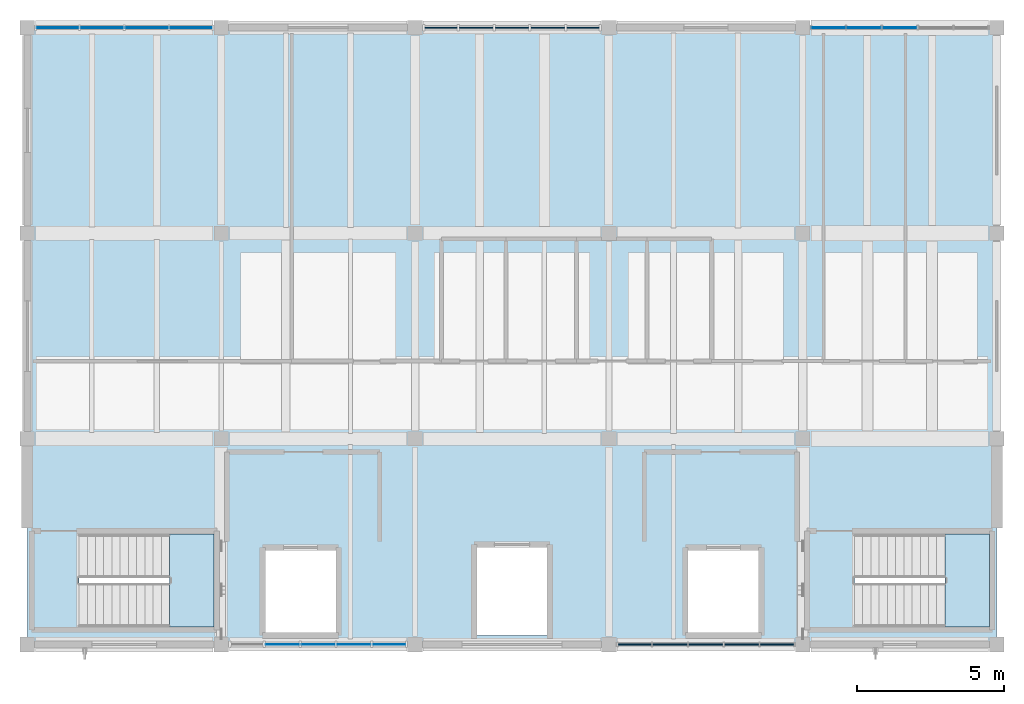
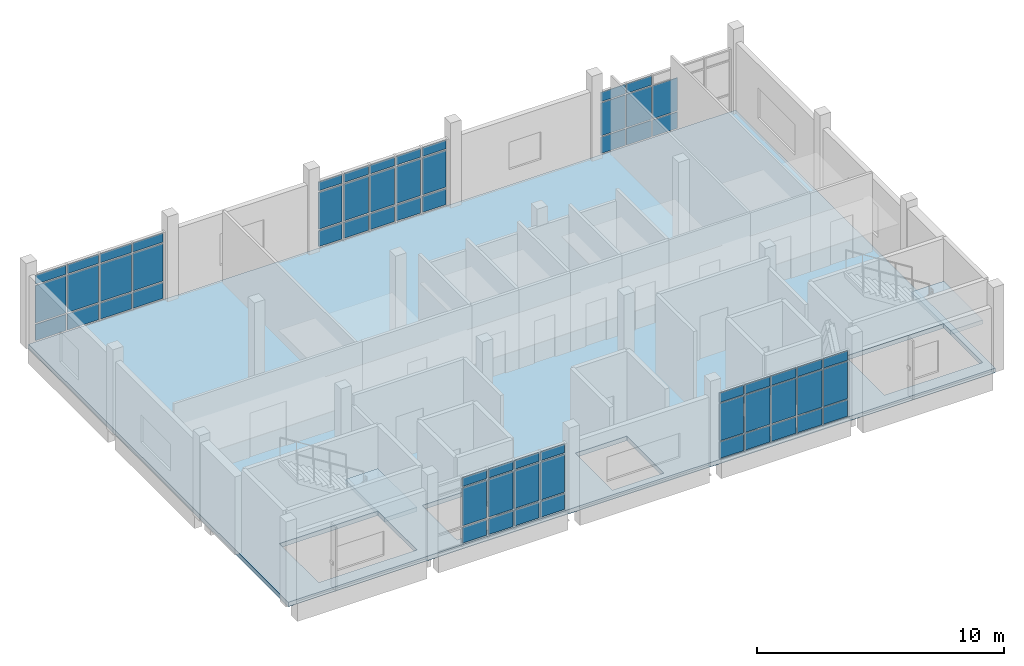
# One storey, part 5 of 10: 62 plates, 3 slabs, 7 elements without a shape of their own.
"""IFC4 building model written with IfcOpenShell, lengths in metres."""

import ifcopenshell
import ifcopenshell.guid

model = None  # the IFC model being written
_history = None  # IfcOwnerHistory: only IFC2X3 demands one
_inside = {}  # id of a spatial element -> (the spatial element, [elements in it])
_under = {}  # id of a project, library or spatial element -> (it, [spatial elements below it])
_declared = {}  # id of a project -> (the project, [libraries it declares])
_typed = {}  # id of a type object -> (the type object, [elements of that type])
_made_of = {}  # id of a material, layer set ... -> (it, [elements and type objects made of it])


def new_model(schema):
    """Start an empty IFC model of exactly this schema.

    Asked for "IFC4X3", IfcOpenShell would pick the latest addendum, in which some entities
    have other attributes; the version numbers below select the first issue.
    IFC2X3 requires an IfcOwnerHistory on every rooted entity: one is made here for all.
    """
    global model, _history
    if schema == "IFC4X3":
        model = ifcopenshell.file(schema_version=(4, 3, 0, 0))
    else:
        model = ifcopenshell.file(schema=schema)
    _inside.clear()
    _under.clear()
    _declared.clear()
    _typed.clear()
    _made_of.clear()
    _history = None
    if model.schema == "IFC2X3":
        org = make("IfcOrganization", Name="unknown")
        user = make(
            "IfcPersonAndOrganization",
            ThePerson=make("IfcPerson", FamilyName="unknown"),
            TheOrganization=org,
        )
        app = make(
            "IfcApplication",
            ApplicationDeveloper=org,
            Version="unknown",
            ApplicationFullName="unknown",
            ApplicationIdentifier="unknown",
        )
        _history = make(
            "IfcOwnerHistory",
            OwningUser=user,
            OwningApplication=app,
            ChangeAction="ADDED",
            CreationDate=0,
        )
    return model


def make(cls, **values):
    """One entity of the class cls with the attributes given. An attribute that is None is left unset."""
    return model.create_entity(
        cls, **{name: value for name, value in values.items() if value is not None}
    )


def rooted(cls, **values):
    """An entity with a GlobalId (a new one), such as an element, a storey or a relation."""
    return make(cls, GlobalId=ifcopenshell.guid.new(), OwnerHistory=_history, **values)


def si_unit(unit_type, name, prefix=None):
    """IfcSIUnit, for example si_unit("LENGTHUNIT", "METRE", prefix="MILLI")."""
    return make("IfcSIUnit", UnitType=unit_type, Prefix=prefix, Name=name)


def assignment(units):
    """IfcUnitAssignment: the units of a project."""
    return None if units is None else make("IfcUnitAssignment", Units=units)


def point(xyz):
    """IfcCartesianPoint."""
    return None if xyz is None else make("IfcCartesianPoint", Coordinates=xyz)


def direction(xyz):
    """IfcDirection."""
    return None if xyz is None else make("IfcDirection", DirectionRatios=xyz)


def frame(location, z_axis=None, x_axis=None):
    """IfcAxis2Placement3D, a coordinate frame: its origin and axes. An axis left out is left unset."""
    return make(
        "IfcAxis2Placement3D",
        Location=point(location),
        Axis=direction(z_axis),
        RefDirection=direction(x_axis),
    )


def frame_2d(location, x_axis=None):
    """IfcAxis2Placement2D, a coordinate frame in the plane: its origin and x axis."""
    return make(
        "IfcAxis2Placement2D", Location=point(location), RefDirection=direction(x_axis)
    )


def origin():
    """The frame at (0, 0, 0) with its axes left unset."""
    return frame((0.0, 0.0, 0.0))


def origin_2d():
    """The frame at (0, 0) in the plane with its x axis left unset."""
    return frame_2d((0.0, 0.0))


def place(relative_to, where):
    """IfcLocalPlacement: puts the frame where relative to a parent placement (None: the world)."""
    return make(
        "IfcLocalPlacement", PlacementRelTo=relative_to, RelativePlacement=where
    )


def context(
    kind, dimensions, precision=None, world=None, true_north=None, identifier=None
):
    """IfcGeometricRepresentationContext, for example the 3D "Model" context."""
    return make(
        "IfcGeometricRepresentationContext",
        ContextIdentifier=identifier,
        ContextType=kind,
        CoordinateSpaceDimension=dimensions,
        Precision=precision,
        WorldCoordinateSystem=world,
        TrueNorth=true_north,
    )


def subcontext(parent, identifier, kind, view, scale=None):
    """IfcGeometricRepresentationSubContext, for example "Body" below "Model"."""
    return make(
        "IfcGeometricRepresentationSubContext",
        ContextIdentifier=identifier,
        ContextType=kind,
        ParentContext=parent,
        TargetScale=scale,
        TargetView=view,
    )


def project(units=None, contexts=None):
    """IfcProject with its units and contexts."""
    return rooted(
        "IfcProject",
        Name="project",
        RepresentationContexts=contexts,
        UnitsInContext=assignment(units),
    )


def spatial(cls, under=None, at=None, **own):
    """A site, building, storey or space (cls), placed at a placement, below another one or the project."""
    s = rooted(cls, ObjectPlacement=at, **own)
    if under is not None:
        _under.setdefault(under.id(), (under, []))[1].append(s)
    return s


def polyline(points):
    """IfcPolyline through the points."""
    return make("IfcPolyline", Points=[point(p) for p in points])


def profile(cls, at=None, kind="AREA", **sizes):
    """A parametric profile (cls). Its sizes go by their IFC names, for example OverallWidth=200.0."""
    return make(cls, ProfileType=kind, Position=at, **sizes)


def rectangle(**sizes):
    """IfcRectangleProfileDef."""
    return profile("IfcRectangleProfileDef", **sizes)


def outline(outer, holes=None, kind="AREA"):
    """IfcArbitraryClosedProfileDef: a profile drawn as a closed curve; with holes, ...WithVoids."""
    if holes is None:
        return make("IfcArbitraryClosedProfileDef", ProfileType=kind, OuterCurve=outer)
    return make(
        "IfcArbitraryProfileDefWithVoids",
        ProfileType=kind,
        OuterCurve=outer,
        InnerCurves=holes,
    )


def extrude(swept, where, along, depth):
    """IfcExtrudedAreaSolid: the profile swept, set in the frame where, extruded along a direction by depth."""
    return make(
        "IfcExtrudedAreaSolid",
        SweptArea=swept,
        Position=where,
        ExtrudedDirection=direction(along),
        Depth=depth,
    )


def shape(context_of_items, identifier, shape_type, items):
    """IfcShapeRepresentation: the items that make up one representation, for example the "Body"."""
    return make(
        "IfcShapeRepresentation",
        ContextOfItems=context_of_items,
        RepresentationIdentifier=identifier,
        RepresentationType=shape_type,
        Items=items,
    )


def material(Name=None, Category=None):
    """IfcMaterial."""
    return make("IfcMaterial", Name=Name, Category=Category)


def layer(
    of_material, thickness, ventilated=None, Name=None, Category=None, Priority=None
):
    """IfcMaterialLayer: one layer of a wall or slab, of a material (None: an air gap)."""
    return make(
        "IfcMaterialLayer",
        Material=of_material,
        LayerThickness=thickness,
        IsVentilated=ventilated,
        Name=Name,
        Category=Category,
        Priority=Priority,
    )


def layer_set(layers, Name=None):
    """IfcMaterialLayerSet."""
    return make("IfcMaterialLayerSet", MaterialLayers=layers, LayerSetName=Name)


def made_of(thing, what):
    """Note that an element or type object is made of a material, layer set ...; save() writes the relation."""
    if what is not None:
        _made_of.setdefault(what.id(), (what, []))[1].append(thing)
    return thing


def type_object(cls, material=None, **own):
    """A type object (cls), such as IfcWallType, which elements share."""
    return made_of(rooted(cls, **own), material)


def element(
    cls,
    number,
    at=None,
    inside=None,
    cuts=None,
    type_object=None,
    material=None,
    context=None,
    identifier="Body",
    shape_type=None,
    held_by="IfcProductDefinitionShape",
    body=None,
    shapes=None,
    **own,
):
    """One element of the class cls, such as IfcWall. Its Tag is "e" and its number.

    at: its placement. inside: the storey or other place that contains it. cuts: it is an
    opening in that element (IfcRelVoidsElement). A single representation is given by context,
    identifier, shape_type and body (its items); several are given by shapes. held_by: the class
    of the entity that holds the representations. save() writes the other relations.
    """
    e = rooted(cls, Tag="e%d" % number, ObjectPlacement=at, **own)
    if body is not None:
        shapes = [shape(context, identifier, shape_type, body)]
    if shapes is not None:
        e.Representation = make(held_by, Representations=shapes)
    if inside is not None:
        _inside.setdefault(inside.id(), (inside, []))[1].append(e)
    if cuts is not None:
        rooted(
            "IfcRelVoidsElement", RelatingBuildingElement=cuts, RelatedOpeningElement=e
        )
    if type_object is not None:
        _typed.setdefault(type_object.id(), (type_object, []))[1].append(e)
    return made_of(e, material)


def aggregate(whole, parts):
    """IfcRelAggregates: a whole, such as a stair, and the parts it consists of."""
    return rooted("IfcRelAggregates", RelatingObject=whole, RelatedObjects=parts)


def save(model, path):
    """Write the relations noted so far, then the file.

    IfcRelAggregates (storeys below a building ...), IfcRelContainedInSpatialStructure (elements
    in a storey), IfcRelDefinesByType, IfcRelAssociatesMaterial and IfcRelDeclares: one each for
    every whole, place, type object, material and project.
    """
    for whole, parts in _under.values():
        aggregate(whole, parts)
    for where, things in _inside.values():
        rooted(
            "IfcRelContainedInSpatialStructure",
            RelatedElements=things,
            RelatingStructure=where,
        )
    for kind, things in _typed.values():
        rooted("IfcRelDefinesByType", RelatedObjects=things, RelatingType=kind)
    for what, things in _made_of.values():
        rooted("IfcRelAssociatesMaterial", RelatedObjects=things, RelatingMaterial=what)
    for by, libraries in _declared.values():
        rooted("IfcRelDeclares", RelatingContext=by, RelatedDefinitions=libraries)
    model.write(path)


model = new_model("IFC4")

# Units and contexts
model_context = context("Model", 3, precision=1e-05, world=origin(), true_north=direction((0.0, 1.0)))
body_context = subcontext(model_context, "Body", "Model", "MODEL_VIEW")
ifc_project = project(units=[si_unit("LENGTHUNIT", "METRE"), si_unit("AREAUNIT", "SQUARE_METRE"), si_unit("VOLUMEUNIT", "CUBIC_METRE"), si_unit("PLANEANGLEUNIT", "RADIAN"), si_unit("MASSUNIT", "GRAM", prefix="KILO")], contexts=[model_context])

# Site, building, storey
site_placement = place(None, origin())
site = spatial("IfcSite", under=ifc_project, at=site_placement, CompositionType="ELEMENT")
building_placement = place(site_placement, origin())
building = spatial("IfcBuilding", under=site, at=building_placement, Name="Ciguamira Faculty of Natural Sciences", CompositionType="ELEMENT")
storey_placement = place(building_placement, frame((0.0, 0.0, 42.0)))
storey = spatial("IfcBuildingStorey", under=building, at=storey_placement, Name="L10", CompositionType="ELEMENT", Elevation=42.0)

# Curtain wall, plates
ifc_material_1 = material(Name="Anodized aluminium curtain wall", Category="aluminium")
curtain_wall_type_1 = type_object("IfcCurtainWallType", Name="CurtainWall_CW-09", PredefinedType="USERDEFINED", material=ifc_material_1)
curtain_wall_1_placement = place(storey_placement, origin())
curtain_wall_1 = element("IfcCurtainWall", 1, at=curtain_wall_1_placement, inside=storey, type_object=curtain_wall_type_1, Name="L10 unitised curtain wall 0165", ObjectType="UNITISED CURTAIN WALL", PredefinedType="USERDEFINED")
ifc_material_2 = material(Name="Low-E laminated solar glass", Category="glass")
ifc_layer_1 = layer(ifc_material_2, 0.028076171875, Name="Low-E laminated solar glass")
ifc_layer_set_1 = layer_set([ifc_layer_1], Name="Low-E laminated solar glass")
plate_type_1 = type_object("IfcPlateType", Name="CWPanel_CWP-01", PredefinedType="CURTAIN_PANEL", material=ifc_layer_set_1)
plate_1_placement = place(storey_placement, frame((79.179931640625, 94.0, 0.080078125), z_axis=(0.0, 0.0, 1.0), x_axis=(1.0, 0.0, 0.0)))
plate_1 = element("IfcPlate", 2, at=plate_1_placement, type_object=plate_type_1, Name="CW-09 panel 2.1", PredefinedType="CURTAIN_PANEL", context=body_context, shape_type="SweptSolid", body=[
    extrude(rectangle(XDim=1.139892578125, YDim=0.028076171875, at=origin_2d()), origin(), (0.0, 0.0, 1.0), 0.780029296875),
])
plate_2_placement = place(storey_placement, frame((79.179931640625, 94.0, 0.93994140625), z_axis=(0.0, 0.0, 1.0), x_axis=(1.0, 0.0, 0.0)))
plate_2 = element("IfcPlate", 3, at=plate_2_placement, type_object=plate_type_1, Name="CW-09 panel 2.2", PredefinedType="CURTAIN_PANEL", context=body_context, shape_type="SweptSolid", body=[
    extrude(rectangle(XDim=1.139892578125, YDim=0.028076171875, at=origin_2d()), origin(), (0.0, 0.0, 1.0), 1.85498046875),
])
plate_3_placement = place(storey_placement, frame((79.179931640625, 94.0, 2.875), z_axis=(0.0, 0.0, 1.0), x_axis=(1.0, 0.0, 0.0)))
plate_3 = element("IfcPlate", 4, at=plate_3_placement, type_object=plate_type_1, Name="CW-09 panel 2.3", PredefinedType="CURTAIN_PANEL", context=body_context, shape_type="SweptSolid", body=[
    extrude(rectangle(XDim=1.139892578125, YDim=0.028076171875, at=origin_2d()), origin(), (0.0, 0.0, 1.0), 0.429931640625),
])
plate_4_placement = place(storey_placement, frame((80.39990234375, 94.0, 0.080078125), z_axis=(0.0, 0.0, 1.0), x_axis=(1.0, 0.0, 0.0)))
plate_4 = element("IfcPlate", 5, at=plate_4_placement, type_object=plate_type_1, Name="CW-09 panel 3.1", PredefinedType="CURTAIN_PANEL", context=body_context, shape_type="SweptSolid", body=[
    extrude(rectangle(XDim=1.139892578125, YDim=0.028076171875, at=origin_2d()), origin(), (0.0, 0.0, 1.0), 0.780029296875),
])
plate_5_placement = place(storey_placement, frame((80.39990234375, 94.0, 0.93994140625), z_axis=(0.0, 0.0, 1.0), x_axis=(1.0, 0.0, 0.0)))
plate_5 = element("IfcPlate", 6, at=plate_5_placement, type_object=plate_type_1, Name="CW-09 panel 3.2", PredefinedType="CURTAIN_PANEL", context=body_context, shape_type="SweptSolid", body=[
    extrude(rectangle(XDim=1.139892578125, YDim=0.028076171875, at=origin_2d()), origin(), (0.0, 0.0, 1.0), 1.85498046875),
])
plate_6_placement = place(storey_placement, frame((80.39990234375, 94.0, 2.875), z_axis=(0.0, 0.0, 1.0), x_axis=(1.0, 0.0, 0.0)))
plate_6 = element("IfcPlate", 7, at=plate_6_placement, type_object=plate_type_1, Name="CW-09 panel 3.3", PredefinedType="CURTAIN_PANEL", context=body_context, shape_type="SweptSolid", body=[
    extrude(rectangle(XDim=1.139892578125, YDim=0.028076171875, at=origin_2d()), origin(), (0.0, 0.0, 1.0), 0.429931640625),
])
plate_7_placement = place(storey_placement, frame((81.6201171875, 94.0, 0.080078125), z_axis=(0.0, 0.0, 1.0), x_axis=(1.0, 0.0, 0.0)))
plate_7 = element("IfcPlate", 8, at=plate_7_placement, type_object=plate_type_1, Name="CW-09 panel 4.1", PredefinedType="CURTAIN_PANEL", context=body_context, shape_type="SweptSolid", body=[
    extrude(rectangle(XDim=1.139892578125, YDim=0.028076171875, at=origin_2d()), origin(), (0.0, 0.0, 1.0), 0.780029296875),
])
plate_8_placement = place(storey_placement, frame((81.6201171875, 94.0, 0.93994140625), z_axis=(0.0, 0.0, 1.0), x_axis=(1.0, 0.0, 0.0)))
plate_8 = element("IfcPlate", 9, at=plate_8_placement, type_object=plate_type_1, Name="CW-09 panel 4.2", PredefinedType="CURTAIN_PANEL", context=body_context, shape_type="SweptSolid", body=[
    extrude(rectangle(XDim=1.139892578125, YDim=0.028076171875, at=origin_2d()), origin(), (0.0, 0.0, 1.0), 1.85498046875),
])
plate_9_placement = place(storey_placement, frame((81.6201171875, 94.0, 2.875), z_axis=(0.0, 0.0, 1.0), x_axis=(1.0, 0.0, 0.0)))
plate_9 = element("IfcPlate", 10, at=plate_9_placement, type_object=plate_type_1, Name="CW-09 panel 4.3", PredefinedType="CURTAIN_PANEL", context=body_context, shape_type="SweptSolid", body=[
    extrude(rectangle(XDim=1.139892578125, YDim=0.028076171875, at=origin_2d()), origin(), (0.0, 0.0, 1.0), 0.429931640625),
])
plate_10_placement = place(storey_placement, frame((82.820068359375, 94.0, 0.080078125), z_axis=(0.0, 0.0, 1.0), x_axis=(1.0, 0.0, 0.0)))
plate_10 = element("IfcPlate", 11, at=plate_10_placement, type_object=plate_type_1, Name="CW-09 panel 5.1", PredefinedType="CURTAIN_PANEL", context=body_context, shape_type="SweptSolid", body=[
    extrude(rectangle(XDim=1.10009765625, YDim=0.028076171875, at=origin_2d()), origin(), (0.0, 0.0, 1.0), 0.780029296875),
])
plate_11_placement = place(storey_placement, frame((82.820068359375, 94.0, 0.93994140625), z_axis=(0.0, 0.0, 1.0), x_axis=(1.0, 0.0, 0.0)))
plate_11 = element("IfcPlate", 12, at=plate_11_placement, type_object=plate_type_1, Name="CW-09 panel 5.2", PredefinedType="CURTAIN_PANEL", context=body_context, shape_type="SweptSolid", body=[
    extrude(rectangle(XDim=1.10009765625, YDim=0.028076171875, at=origin_2d()), origin(), (0.0, 0.0, 1.0), 1.85498046875),
])
plate_12_placement = place(storey_placement, frame((82.820068359375, 94.0, 2.875), z_axis=(0.0, 0.0, 1.0), x_axis=(1.0, 0.0, 0.0)))
plate_12 = element("IfcPlate", 13, at=plate_12_placement, type_object=plate_type_1, Name="CW-09 panel 5.3", PredefinedType="CURTAIN_PANEL", context=body_context, shape_type="SweptSolid", body=[
    extrude(rectangle(XDim=1.10009765625, YDim=0.028076171875, at=origin_2d()), origin(), (0.0, 0.0, 1.0), 0.429931640625),
])
aggregate(curtain_wall_1, [plate_1, plate_2, plate_3, plate_4, plate_5, plate_6, plate_7, plate_8, plate_9, plate_10, plate_11, plate_12])

curtain_wall_type_2 = type_object("IfcCurtainWallType", Name="CurtainWall_CW-11", PredefinedType="USERDEFINED", material=ifc_material_1)
curtain_wall_2_placement = place(storey_placement, origin())
curtain_wall_2 = element("IfcCurtainWall", 14, at=curtain_wall_2_placement, inside=storey, type_object=curtain_wall_type_2, Name="L10 unitised curtain wall 0167", ObjectType="UNITISED CURTAIN WALL", PredefinedType="USERDEFINED")
plate_13_placement = place(storey_placement, frame((71.530029296875, 115.0, 0.070068359375), z_axis=(0.0, 0.0, 1.0), x_axis=(1.0, 0.0, 0.0)))
plate_13 = element("IfcPlate", 15, at=plate_13_placement, type_object=plate_type_1, Name="CW-11 panel 1.1", PredefinedType="CURTAIN_PANEL", context=body_context, shape_type="SweptSolid", body=[
    extrude(rectangle(XDim=1.419921875, YDim=0.028076171875, at=origin_2d()), origin(), (0.0, 0.0, 1.0), 0.794921875),
])
plate_14_placement = place(storey_placement, frame((71.530029296875, 115.0, 0.93505859375), z_axis=(0.0, 0.0, 1.0), x_axis=(1.0, 0.0, 0.0)))
plate_14 = element("IfcPlate", 16, at=plate_14_placement, type_object=plate_type_1, Name="CW-11 panel 1.2", PredefinedType="CURTAIN_PANEL", context=body_context, shape_type="SweptSolid", body=[
    extrude(rectangle(XDim=1.419921875, YDim=0.028076171875, at=origin_2d()), origin(), (0.0, 0.0, 1.0), 1.844970703125),
])
plate_15_placement = place(storey_placement, frame((71.530029296875, 115.0, 2.85009765625), z_axis=(0.0, 0.0, 1.0), x_axis=(1.0, 0.0, 0.0)))
plate_15 = element("IfcPlate", 17, at=plate_15_placement, type_object=plate_type_1, Name="CW-11 panel 1.3", PredefinedType="CURTAIN_PANEL", context=body_context, shape_type="SweptSolid", body=[
    extrude(rectangle(XDim=1.419921875, YDim=0.028076171875, at=origin_2d()), origin(), (0.0, 0.0, 1.0), 0.445068359375),
])
plate_16_placement = place(storey_placement, frame((73.03759765625, 115.0, 0.070068359375), z_axis=(0.0, 0.0, 1.0), x_axis=(1.0, 0.0, 0.0)))
plate_16 = element("IfcPlate", 18, at=plate_16_placement, type_object=plate_type_1, Name="CW-11 panel 2.1", PredefinedType="CURTAIN_PANEL", context=body_context, shape_type="SweptSolid", body=[
    extrude(rectangle(XDim=1.455078125, YDim=0.028076171875, at=origin_2d()), origin(), (0.0, 0.0, 1.0), 0.794921875),
])
plate_17_placement = place(storey_placement, frame((73.03759765625, 115.0, 0.93505859375), z_axis=(0.0, 0.0, 1.0), x_axis=(1.0, 0.0, 0.0)))
plate_17 = element("IfcPlate", 19, at=plate_17_placement, type_object=plate_type_1, Name="CW-11 panel 2.2", PredefinedType="CURTAIN_PANEL", context=body_context, shape_type="SweptSolid", body=[
    extrude(rectangle(XDim=1.455078125, YDim=0.028076171875, at=origin_2d()), origin(), (0.0, 0.0, 1.0), 1.844970703125),
])
plate_18_placement = place(storey_placement, frame((73.03759765625, 115.0, 2.85009765625), z_axis=(0.0, 0.0, 1.0), x_axis=(1.0, 0.0, 0.0)))
plate_18 = element("IfcPlate", 20, at=plate_18_placement, type_object=plate_type_1, Name="CW-11 panel 2.3", PredefinedType="CURTAIN_PANEL", context=body_context, shape_type="SweptSolid", body=[
    extrude(rectangle(XDim=1.455078125, YDim=0.028076171875, at=origin_2d()), origin(), (0.0, 0.0, 1.0), 0.445068359375),
])
plate_19_placement = place(storey_placement, frame((74.5625, 115.0, 0.070068359375), z_axis=(0.0, 0.0, 1.0), x_axis=(1.0, 0.0, 0.0)))
plate_19 = element("IfcPlate", 21, at=plate_19_placement, type_object=plate_type_1, Name="CW-11 panel 3.1", PredefinedType="CURTAIN_PANEL", context=body_context, shape_type="SweptSolid", body=[
    extrude(rectangle(XDim=1.455078125, YDim=0.028076171875, at=origin_2d()), origin(), (0.0, 0.0, 1.0), 0.794921875),
])
plate_20_placement = place(storey_placement, frame((74.5625, 115.0, 0.93505859375), z_axis=(0.0, 0.0, 1.0), x_axis=(1.0, 0.0, 0.0)))
plate_20 = element("IfcPlate", 22, at=plate_20_placement, type_object=plate_type_1, Name="CW-11 panel 3.2", PredefinedType="CURTAIN_PANEL", context=body_context, shape_type="SweptSolid", body=[
    extrude(rectangle(XDim=1.455078125, YDim=0.028076171875, at=origin_2d()), origin(), (0.0, 0.0, 1.0), 1.844970703125),
])
plate_21_placement = place(storey_placement, frame((74.5625, 115.0, 2.85009765625), z_axis=(0.0, 0.0, 1.0), x_axis=(1.0, 0.0, 0.0)))
plate_21 = element("IfcPlate", 23, at=plate_21_placement, type_object=plate_type_1, Name="CW-11 panel 3.3", PredefinedType="CURTAIN_PANEL", context=body_context, shape_type="SweptSolid", body=[
    extrude(rectangle(XDim=1.455078125, YDim=0.028076171875, at=origin_2d()), origin(), (0.0, 0.0, 1.0), 0.445068359375),
])
plate_22_placement = place(storey_placement, frame((76.070068359375, 115.0, 0.070068359375), z_axis=(0.0, 0.0, 1.0), x_axis=(1.0, 0.0, 0.0)))
plate_22 = element("IfcPlate", 24, at=plate_22_placement, type_object=plate_type_1, Name="CW-11 panel 4.1", PredefinedType="CURTAIN_PANEL", context=body_context, shape_type="SweptSolid", body=[
    extrude(rectangle(XDim=1.419921875, YDim=0.028076171875, at=origin_2d()), origin(), (0.0, 0.0, 1.0), 0.794921875),
])
plate_23_placement = place(storey_placement, frame((76.070068359375, 115.0, 0.93505859375), z_axis=(0.0, 0.0, 1.0), x_axis=(1.0, 0.0, 0.0)))
plate_23 = element("IfcPlate", 25, at=plate_23_placement, type_object=plate_type_1, Name="CW-11 panel 4.2", PredefinedType="CURTAIN_PANEL", context=body_context, shape_type="SweptSolid", body=[
    extrude(rectangle(XDim=1.419921875, YDim=0.028076171875, at=origin_2d()), origin(), (0.0, 0.0, 1.0), 1.844970703125),
])
plate_24_placement = place(storey_placement, frame((76.070068359375, 115.0, 2.85009765625), z_axis=(0.0, 0.0, 1.0), x_axis=(1.0, 0.0, 0.0)))
plate_24 = element("IfcPlate", 26, at=plate_24_placement, type_object=plate_type_1, Name="CW-11 panel 4.3", PredefinedType="CURTAIN_PANEL", context=body_context, shape_type="SweptSolid", body=[
    extrude(rectangle(XDim=1.419921875, YDim=0.028076171875, at=origin_2d()), origin(), (0.0, 0.0, 1.0), 0.445068359375),
])
aggregate(curtain_wall_2, [plate_13, plate_14, plate_15, plate_16, plate_17, plate_18, plate_19, plate_20, plate_21, plate_22, plate_23, plate_24])

curtain_wall_type_3 = type_object("IfcCurtainWallType", Name="CurtainWall_CW-01", PredefinedType="USERDEFINED", material=ifc_material_1)
curtain_wall_3_placement = place(storey_placement, origin())
curtain_wall_3 = element("IfcCurtainWall", 27, at=curtain_wall_3_placement, inside=storey, type_object=curtain_wall_type_3, Name="L10 unitised curtain wall 0169", ObjectType="UNITISED CURTAIN WALL", PredefinedType="USERDEFINED")
plate_25_placement = place(storey_placement, frame((97.77490234375, 115.0, 0.06005859375), z_axis=(0.0, 0.0, 1.0), x_axis=(1.0, 0.0, 0.0)))
plate_25 = element("IfcPlate", 28, at=plate_25_placement, type_object=plate_type_1, Name="CW-01 panel 1.1", PredefinedType="CURTAIN_PANEL", context=body_context, shape_type="SweptSolid", body=[
    extrude(rectangle(XDim=1.1298828125, YDim=0.028076171875, at=origin_2d()), origin(), (0.0, 0.0, 1.0), 0.81005859375),
])
plate_26_placement = place(storey_placement, frame((97.77490234375, 115.0, 0.929931640625), z_axis=(0.0, 0.0, 1.0), x_axis=(1.0, 0.0, 0.0)))
plate_26 = element("IfcPlate", 29, at=plate_26_placement, type_object=plate_type_1, Name="CW-01 panel 1.2", PredefinedType="CURTAIN_PANEL", context=body_context, shape_type="SweptSolid", body=[
    extrude(rectangle(XDim=1.1298828125, YDim=0.028076171875, at=origin_2d()), origin(), (0.0, 0.0, 1.0), 1.625),
])
plate_27_placement = place(storey_placement, frame((97.77490234375, 115.0, 2.614990234375), z_axis=(0.0, 0.0, 1.0), x_axis=(1.0, 0.0, 0.0)))
plate_27 = element("IfcPlate", 30, at=plate_27_placement, type_object=plate_type_1, Name="CW-01 panel 1.3", PredefinedType="CURTAIN_PANEL", context=body_context, shape_type="SweptSolid", body=[
    extrude(rectangle(XDim=1.1298828125, YDim=0.028076171875, at=origin_2d()), origin(), (0.0, 0.0, 1.0), 0.4599609375),
])
plate_28_placement = place(storey_placement, frame((98.97998046875, 115.0, 0.06005859375), z_axis=(0.0, 0.0, 1.0), x_axis=(1.0, 0.0, 0.0)))
plate_28 = element("IfcPlate", 31, at=plate_28_placement, type_object=plate_type_1, Name="CW-01 panel 2.1", PredefinedType="CURTAIN_PANEL", context=body_context, shape_type="SweptSolid", body=[
    extrude(rectangle(XDim=1.159912109375, YDim=0.028076171875, at=origin_2d()), origin(), (0.0, 0.0, 1.0), 0.81005859375),
])
plate_29_placement = place(storey_placement, frame((98.97998046875, 115.0, 0.929931640625), z_axis=(0.0, 0.0, 1.0), x_axis=(1.0, 0.0, 0.0)))
plate_29 = element("IfcPlate", 32, at=plate_29_placement, type_object=plate_type_1, Name="CW-01 panel 2.2", PredefinedType="CURTAIN_PANEL", context=body_context, shape_type="SweptSolid", body=[
    extrude(rectangle(XDim=1.159912109375, YDim=0.028076171875, at=origin_2d()), origin(), (0.0, 0.0, 1.0), 1.625),
])
plate_30_placement = place(storey_placement, frame((98.97998046875, 115.0, 2.614990234375), z_axis=(0.0, 0.0, 1.0), x_axis=(1.0, 0.0, 0.0)))
plate_30 = element("IfcPlate", 33, at=plate_30_placement, type_object=plate_type_1, Name="CW-01 panel 2.3", PredefinedType="CURTAIN_PANEL", context=body_context, shape_type="SweptSolid", body=[
    extrude(rectangle(XDim=1.159912109375, YDim=0.028076171875, at=origin_2d()), origin(), (0.0, 0.0, 1.0), 0.4599609375),
])
plate_31_placement = place(storey_placement, frame((100.199951171875, 115.0, 0.06005859375), z_axis=(0.0, 0.0, 1.0), x_axis=(1.0, 0.0, 0.0)))
plate_31 = element("IfcPlate", 34, at=plate_31_placement, type_object=plate_type_1, Name="CW-01 panel 3.1", PredefinedType="CURTAIN_PANEL", context=body_context, shape_type="SweptSolid", body=[
    extrude(rectangle(XDim=1.159912109375, YDim=0.028076171875, at=origin_2d()), origin(), (0.0, 0.0, 1.0), 0.81005859375),
])
plate_32_placement = place(storey_placement, frame((100.199951171875, 115.0, 0.929931640625), z_axis=(0.0, 0.0, 1.0), x_axis=(1.0, 0.0, 0.0)))
plate_32 = element("IfcPlate", 35, at=plate_32_placement, type_object=plate_type_1, Name="CW-01 panel 3.2", PredefinedType="CURTAIN_PANEL", context=body_context, shape_type="SweptSolid", body=[
    extrude(rectangle(XDim=1.159912109375, YDim=0.028076171875, at=origin_2d()), origin(), (0.0, 0.0, 1.0), 1.625),
])
aggregate(curtain_wall_3, [plate_25, plate_26, plate_27, plate_28, plate_29, plate_30, plate_31, plate_32])

curtain_wall_type_4 = type_object("IfcCurtainWallType", Name="CurtainWall_CW-10", PredefinedType="USERDEFINED", material=ifc_material_1)
curtain_wall_4_placement = place(storey_placement, origin())
curtain_wall_4 = element("IfcCurtainWall", 36, at=curtain_wall_4_placement, inside=storey, type_object=curtain_wall_type_4, Name="L10 unitised curtain wall 0166", ObjectType="UNITISED CURTAIN WALL", PredefinedType="USERDEFINED")
ifc_layer_2 = layer(ifc_material_2, 0.035888671875, Name="Low-E laminated solar glass")
ifc_layer_set_2 = layer_set([ifc_layer_2], Name="Low-E laminated solar glass")
plate_type_2 = type_object("IfcPlateType", Name="CWPanel_CWP-02", PredefinedType="CURTAIN_PANEL", material=ifc_layer_set_2)
plate_33_placement = place(storey_placement, frame((91.175048828125, 94.0, 0.06005859375), z_axis=(0.0, 0.0, 1.0), x_axis=(1.0, 0.0, 0.0)))
plate_33 = element("IfcPlate", 37, at=plate_33_placement, type_object=plate_type_2, Name="CW-10 panel 1.1", PredefinedType="CURTAIN_PANEL", context=body_context, shape_type="SweptSolid", body=[
    extrude(rectangle(XDim=1.1298828125, YDim=0.035888671875, at=origin_2d()), origin(), (0.0, 0.0, 1.0), 0.81005859375),
])
plate_34_placement = place(storey_placement, frame((91.175048828125, 94.0, 0.929931640625), z_axis=(0.0, 0.0, 1.0), x_axis=(1.0, 0.0, 0.0)))
plate_34 = element("IfcPlate", 38, at=plate_34_placement, type_object=plate_type_2, Name="CW-10 panel 1.2", PredefinedType="CURTAIN_PANEL", context=body_context, shape_type="SweptSolid", body=[
    extrude(rectangle(XDim=1.1298828125, YDim=0.035888671875, at=origin_2d()), origin(), (0.0, 0.0, 1.0), 1.8349609375),
])
plate_35_placement = place(storey_placement, frame((91.175048828125, 94.0, 2.824951171875), z_axis=(0.0, 0.0, 1.0), x_axis=(1.0, 0.0, 0.0)))
plate_35 = element("IfcPlate", 39, at=plate_35_placement, type_object=plate_type_2, Name="CW-10 panel 1.3", PredefinedType="CURTAIN_PANEL", context=body_context, shape_type="SweptSolid", body=[
    extrude(rectangle(XDim=1.1298828125, YDim=0.035888671875, at=origin_2d()), origin(), (0.0, 0.0, 1.0), 0.4599609375),
])
plate_36_placement = place(storey_placement, frame((92.3798828125, 94.0, 0.06005859375), z_axis=(0.0, 0.0, 1.0), x_axis=(1.0, 0.0, 0.0)))
plate_36 = element("IfcPlate", 40, at=plate_36_placement, type_object=plate_type_2, Name="CW-10 panel 2.1", PredefinedType="CURTAIN_PANEL", context=body_context, shape_type="SweptSolid", body=[
    extrude(rectangle(XDim=1.159912109375, YDim=0.035888671875, at=origin_2d()), origin(), (0.0, 0.0, 1.0), 0.81005859375),
])
plate_37_placement = place(storey_placement, frame((92.3798828125, 94.0, 0.929931640625), z_axis=(0.0, 0.0, 1.0), x_axis=(1.0, 0.0, 0.0)))
plate_37 = element("IfcPlate", 41, at=plate_37_placement, type_object=plate_type_2, Name="CW-10 panel 2.2", PredefinedType="CURTAIN_PANEL", context=body_context, shape_type="SweptSolid", body=[
    extrude(rectangle(XDim=1.159912109375, YDim=0.035888671875, at=origin_2d()), origin(), (0.0, 0.0, 1.0), 1.8349609375),
])
plate_38_placement = place(storey_placement, frame((92.3798828125, 94.0, 2.824951171875), z_axis=(0.0, 0.0, 1.0), x_axis=(1.0, 0.0, 0.0)))
plate_38 = element("IfcPlate", 42, at=plate_38_placement, type_object=plate_type_2, Name="CW-10 panel 2.3", PredefinedType="CURTAIN_PANEL", context=body_context, shape_type="SweptSolid", body=[
    extrude(rectangle(XDim=1.159912109375, YDim=0.035888671875, at=origin_2d()), origin(), (0.0, 0.0, 1.0), 0.4599609375),
])
plate_39_placement = place(storey_placement, frame((93.60009765625, 94.0, 0.06005859375), z_axis=(0.0, 0.0, 1.0), x_axis=(1.0, 0.0, 0.0)))
plate_39 = element("IfcPlate", 43, at=plate_39_placement, type_object=plate_type_2, Name="CW-10 panel 3.1", PredefinedType="CURTAIN_PANEL", context=body_context, shape_type="SweptSolid", body=[
    extrude(rectangle(XDim=1.159912109375, YDim=0.035888671875, at=origin_2d()), origin(), (0.0, 0.0, 1.0), 0.81005859375),
])
plate_40_placement = place(storey_placement, frame((93.60009765625, 94.0, 0.929931640625), z_axis=(0.0, 0.0, 1.0), x_axis=(1.0, 0.0, 0.0)))
plate_40 = element("IfcPlate", 44, at=plate_40_placement, type_object=plate_type_2, Name="CW-10 panel 3.2", PredefinedType="CURTAIN_PANEL", context=body_context, shape_type="SweptSolid", body=[
    extrude(rectangle(XDim=1.159912109375, YDim=0.035888671875, at=origin_2d()), origin(), (0.0, 0.0, 1.0), 1.8349609375),
])
plate_41_placement = place(storey_placement, frame((93.60009765625, 94.0, 2.824951171875), z_axis=(0.0, 0.0, 1.0), x_axis=(1.0, 0.0, 0.0)))
plate_41 = element("IfcPlate", 45, at=plate_41_placement, type_object=plate_type_2, Name="CW-10 panel 3.3", PredefinedType="CURTAIN_PANEL", context=body_context, shape_type="SweptSolid", body=[
    extrude(rectangle(XDim=1.159912109375, YDim=0.035888671875, at=origin_2d()), origin(), (0.0, 0.0, 1.0), 0.4599609375),
])
plate_42_placement = place(storey_placement, frame((94.820068359375, 94.0, 0.06005859375), z_axis=(0.0, 0.0, 1.0), x_axis=(1.0, 0.0, 0.0)))
plate_42 = element("IfcPlate", 46, at=plate_42_placement, type_object=plate_type_2, Name="CW-10 panel 4.1", PredefinedType="CURTAIN_PANEL", context=body_context, shape_type="SweptSolid", body=[
    extrude(rectangle(XDim=1.159912109375, YDim=0.035888671875, at=origin_2d()), origin(), (0.0, 0.0, 1.0), 0.81005859375),
])
plate_43_placement = place(storey_placement, frame((94.820068359375, 94.0, 0.929931640625), z_axis=(0.0, 0.0, 1.0), x_axis=(1.0, 0.0, 0.0)))
plate_43 = element("IfcPlate", 47, at=plate_43_placement, type_object=plate_type_2, Name="CW-10 panel 4.2", PredefinedType="CURTAIN_PANEL", context=body_context, shape_type="SweptSolid", body=[
    extrude(rectangle(XDim=1.159912109375, YDim=0.035888671875, at=origin_2d()), origin(), (0.0, 0.0, 1.0), 1.8349609375),
])
plate_44_placement = place(storey_placement, frame((94.820068359375, 94.0, 2.824951171875), z_axis=(0.0, 0.0, 1.0), x_axis=(1.0, 0.0, 0.0)))
plate_44 = element("IfcPlate", 48, at=plate_44_placement, type_object=plate_type_2, Name="CW-10 panel 4.3", PredefinedType="CURTAIN_PANEL", context=body_context, shape_type="SweptSolid", body=[
    extrude(rectangle(XDim=1.159912109375, YDim=0.035888671875, at=origin_2d()), origin(), (0.0, 0.0, 1.0), 0.4599609375),
])
plate_45_placement = place(storey_placement, frame((96.02490234375, 94.0, 0.06005859375), z_axis=(0.0, 0.0, 1.0), x_axis=(1.0, 0.0, 0.0)))
plate_45 = element("IfcPlate", 49, at=plate_45_placement, type_object=plate_type_2, Name="CW-10 panel 5.1", PredefinedType="CURTAIN_PANEL", context=body_context, shape_type="SweptSolid", body=[
    extrude(rectangle(XDim=1.1298828125, YDim=0.035888671875, at=origin_2d()), origin(), (0.0, 0.0, 1.0), 0.81005859375),
])
plate_46_placement = place(storey_placement, frame((96.02490234375, 94.0, 0.929931640625), z_axis=(0.0, 0.0, 1.0), x_axis=(1.0, 0.0, 0.0)))
plate_46 = element("IfcPlate", 50, at=plate_46_placement, type_object=plate_type_2, Name="CW-10 panel 5.2", PredefinedType="CURTAIN_PANEL", context=body_context, shape_type="SweptSolid", body=[
    extrude(rectangle(XDim=1.1298828125, YDim=0.035888671875, at=origin_2d()), origin(), (0.0, 0.0, 1.0), 1.8349609375),
])
plate_47_placement = place(storey_placement, frame((96.02490234375, 94.0, 2.824951171875), z_axis=(0.0, 0.0, 1.0), x_axis=(1.0, 0.0, 0.0)))
plate_47 = element("IfcPlate", 51, at=plate_47_placement, type_object=plate_type_2, Name="CW-10 panel 5.3", PredefinedType="CURTAIN_PANEL", context=body_context, shape_type="SweptSolid", body=[
    extrude(rectangle(XDim=1.1298828125, YDim=0.035888671875, at=origin_2d()), origin(), (0.0, 0.0, 1.0), 0.4599609375),
])
aggregate(curtain_wall_4, [plate_33, plate_34, plate_35, plate_36, plate_37, plate_38, plate_39, plate_40, plate_41, plate_42, plate_43, plate_44, plate_45, plate_46, plate_47])

curtain_wall_type_5 = type_object("IfcCurtainWallType", Name="CurtainWall_CW-12", PredefinedType="USERDEFINED", material=ifc_material_1)
curtain_wall_5_placement = place(storey_placement, origin())
curtain_wall_5 = element("IfcCurtainWall", 52, at=curtain_wall_5_placement, inside=storey, type_object=curtain_wall_type_5, Name="L10 unitised curtain wall 0168", ObjectType="UNITISED CURTAIN WALL", PredefinedType="USERDEFINED")
plate_48_placement = place(storey_placement, frame((84.580078125, 115.0, 0.080078125), z_axis=(0.0, 0.0, 1.0), x_axis=(1.0, 0.0, 0.0)))
plate_48 = element("IfcPlate", 53, at=plate_48_placement, type_object=plate_type_2, Name="CW-12 panel 1.1", PredefinedType="CURTAIN_PANEL", context=body_context, shape_type="SweptSolid", body=[
    extrude(rectangle(XDim=1.10009765625, YDim=0.035888671875, at=origin_2d()), origin(), (0.0, 0.0, 1.0), 0.780029296875),
])
plate_49_placement = place(storey_placement, frame((84.580078125, 115.0, 0.93994140625), z_axis=(0.0, 0.0, 1.0), x_axis=(1.0, 0.0, 0.0)))
plate_49 = element("IfcPlate", 54, at=plate_49_placement, type_object=plate_type_2, Name="CW-12 panel 1.2", PredefinedType="CURTAIN_PANEL", context=body_context, shape_type="SweptSolid", body=[
    extrude(rectangle(XDim=1.10009765625, YDim=0.035888671875, at=origin_2d()), origin(), (0.0, 0.0, 1.0), 1.81494140625),
])
plate_50_placement = place(storey_placement, frame((84.580078125, 115.0, 2.8349609375), z_axis=(0.0, 0.0, 1.0), x_axis=(1.0, 0.0, 0.0)))
plate_50 = element("IfcPlate", 55, at=plate_50_placement, type_object=plate_type_2, Name="CW-12 panel 1.3", PredefinedType="CURTAIN_PANEL", context=body_context, shape_type="SweptSolid", body=[
    extrude(rectangle(XDim=1.10009765625, YDim=0.035888671875, at=origin_2d()), origin(), (0.0, 0.0, 1.0), 0.429931640625),
])
plate_51_placement = place(storey_placement, frame((85.780029296875, 115.0, 0.080078125), z_axis=(0.0, 0.0, 1.0), x_axis=(1.0, 0.0, 0.0)))
plate_51 = element("IfcPlate", 56, at=plate_51_placement, type_object=plate_type_2, Name="CW-12 panel 2.1", PredefinedType="CURTAIN_PANEL", context=body_context, shape_type="SweptSolid", body=[
    extrude(rectangle(XDim=1.139892578125, YDim=0.035888671875, at=origin_2d()), origin(), (0.0, 0.0, 1.0), 0.780029296875),
])
plate_52_placement = place(storey_placement, frame((85.780029296875, 115.0, 0.93994140625), z_axis=(0.0, 0.0, 1.0), x_axis=(1.0, 0.0, 0.0)))
plate_52 = element("IfcPlate", 57, at=plate_52_placement, type_object=plate_type_2, Name="CW-12 panel 2.2", PredefinedType="CURTAIN_PANEL", context=body_context, shape_type="SweptSolid", body=[
    extrude(rectangle(XDim=1.139892578125, YDim=0.035888671875, at=origin_2d()), origin(), (0.0, 0.0, 1.0), 1.81494140625),
])
plate_53_placement = place(storey_placement, frame((85.780029296875, 115.0, 2.8349609375), z_axis=(0.0, 0.0, 1.0), x_axis=(1.0, 0.0, 0.0)))
plate_53 = element("IfcPlate", 58, at=plate_53_placement, type_object=plate_type_2, Name="CW-12 panel 2.3", PredefinedType="CURTAIN_PANEL", context=body_context, shape_type="SweptSolid", body=[
    extrude(rectangle(XDim=1.139892578125, YDim=0.035888671875, at=origin_2d()), origin(), (0.0, 0.0, 1.0), 0.429931640625),
])
plate_54_placement = place(storey_placement, frame((87.0, 115.0, 0.080078125), z_axis=(0.0, 0.0, 1.0), x_axis=(1.0, 0.0, 0.0)))
plate_54 = element("IfcPlate", 59, at=plate_54_placement, type_object=plate_type_2, Name="CW-12 panel 3.1", PredefinedType="CURTAIN_PANEL", context=body_context, shape_type="SweptSolid", body=[
    extrude(rectangle(XDim=1.139892578125, YDim=0.035888671875, at=origin_2d()), origin(), (0.0, 0.0, 1.0), 0.780029296875),
])
plate_55_placement = place(storey_placement, frame((87.0, 115.0, 0.93994140625), z_axis=(0.0, 0.0, 1.0), x_axis=(1.0, 0.0, 0.0)))
plate_55 = element("IfcPlate", 60, at=plate_55_placement, type_object=plate_type_2, Name="CW-12 panel 3.2", PredefinedType="CURTAIN_PANEL", context=body_context, shape_type="SweptSolid", body=[
    extrude(rectangle(XDim=1.139892578125, YDim=0.035888671875, at=origin_2d()), origin(), (0.0, 0.0, 1.0), 1.81494140625),
])
plate_56_placement = place(storey_placement, frame((87.0, 115.0, 2.8349609375), z_axis=(0.0, 0.0, 1.0), x_axis=(1.0, 0.0, 0.0)))
plate_56 = element("IfcPlate", 61, at=plate_56_placement, type_object=plate_type_2, Name="CW-12 panel 3.3", PredefinedType="CURTAIN_PANEL", context=body_context, shape_type="SweptSolid", body=[
    extrude(rectangle(XDim=1.139892578125, YDim=0.035888671875, at=origin_2d()), origin(), (0.0, 0.0, 1.0), 0.429931640625),
])
plate_57_placement = place(storey_placement, frame((88.219970703125, 115.0, 0.080078125), z_axis=(0.0, 0.0, 1.0), x_axis=(1.0, 0.0, 0.0)))
plate_57 = element("IfcPlate", 62, at=plate_57_placement, type_object=plate_type_2, Name="CW-12 panel 4.1", PredefinedType="CURTAIN_PANEL", context=body_context, shape_type="SweptSolid", body=[
    extrude(rectangle(XDim=1.139892578125, YDim=0.035888671875, at=origin_2d()), origin(), (0.0, 0.0, 1.0), 0.780029296875),
])
plate_58_placement = place(storey_placement, frame((88.219970703125, 115.0, 0.93994140625), z_axis=(0.0, 0.0, 1.0), x_axis=(1.0, 0.0, 0.0)))
plate_58 = element("IfcPlate", 63, at=plate_58_placement, type_object=plate_type_2, Name="CW-12 panel 4.2", PredefinedType="CURTAIN_PANEL", context=body_context, shape_type="SweptSolid", body=[
    extrude(rectangle(XDim=1.139892578125, YDim=0.035888671875, at=origin_2d()), origin(), (0.0, 0.0, 1.0), 1.81494140625),
])
plate_59_placement = place(storey_placement, frame((88.219970703125, 115.0, 2.8349609375), z_axis=(0.0, 0.0, 1.0), x_axis=(1.0, 0.0, 0.0)))
plate_59 = element("IfcPlate", 64, at=plate_59_placement, type_object=plate_type_2, Name="CW-12 panel 4.3", PredefinedType="CURTAIN_PANEL", context=body_context, shape_type="SweptSolid", body=[
    extrude(rectangle(XDim=1.139892578125, YDim=0.035888671875, at=origin_2d()), origin(), (0.0, 0.0, 1.0), 0.429931640625),
])
plate_60_placement = place(storey_placement, frame((89.419921875, 115.0, 0.080078125), z_axis=(0.0, 0.0, 1.0), x_axis=(1.0, 0.0, 0.0)))
plate_60 = element("IfcPlate", 65, at=plate_60_placement, type_object=plate_type_2, Name="CW-12 panel 5.1", PredefinedType="CURTAIN_PANEL", context=body_context, shape_type="SweptSolid", body=[
    extrude(rectangle(XDim=1.10009765625, YDim=0.035888671875, at=origin_2d()), origin(), (0.0, 0.0, 1.0), 0.780029296875),
])
plate_61_placement = place(storey_placement, frame((89.419921875, 115.0, 0.93994140625), z_axis=(0.0, 0.0, 1.0), x_axis=(1.0, 0.0, 0.0)))
plate_61 = element("IfcPlate", 66, at=plate_61_placement, type_object=plate_type_2, Name="CW-12 panel 5.2", PredefinedType="CURTAIN_PANEL", context=body_context, shape_type="SweptSolid", body=[
    extrude(rectangle(XDim=1.10009765625, YDim=0.035888671875, at=origin_2d()), origin(), (0.0, 0.0, 1.0), 1.81494140625),
])
plate_62_placement = place(storey_placement, frame((89.419921875, 115.0, 2.8349609375), z_axis=(0.0, 0.0, 1.0), x_axis=(1.0, 0.0, 0.0)))
plate_62 = element("IfcPlate", 67, at=plate_62_placement, type_object=plate_type_2, Name="CW-12 panel 5.3", PredefinedType="CURTAIN_PANEL", context=body_context, shape_type="SweptSolid", body=[
    extrude(rectangle(XDim=1.10009765625, YDim=0.035888671875, at=origin_2d()), origin(), (0.0, 0.0, 1.0), 0.429931640625),
])
aggregate(curtain_wall_5, [plate_48, plate_49, plate_50, plate_51, plate_52, plate_53, plate_54, plate_55, plate_56, plate_57, plate_58, plate_59, plate_60, plate_61, plate_62])

# Slab
ifc_material_3 = material(Name="Concrete C40/50", Category="concrete")
ifc_layer_3 = layer(ifc_material_3, 0.219970703125, Name="Concrete C40/50")
ifc_layer_set_3 = layer_set([ifc_layer_3], Name="Concrete C40/50")
slab_type_1 = type_object("IfcSlabType", Name="Slab_SF-06_220", PredefinedType="FLOOR", material=ifc_layer_set_3)
slab_1_placement = place(storey_placement, frame((0.0, 0.0, -0.219970703125)))
element("IfcSlab", 68, at=slab_1_placement, inside=storey, type_object=slab_type_1, Name="L10 V5 structural slab", PredefinedType="FLOOR", context=body_context, shape_type="SweptSolid", body=[
    extrude(outline(polyline([(70.5, 94.0), (103.5, 94.0), (103.5, 115.0), (70.5, 115.0), (70.5, 94.0)]), holes=[polyline([(72.260009765625, 94.60009765625), (76.85009765625, 94.60009765625), (76.85009765625, 97.760009765625), (72.260009765625, 97.760009765625), (72.260009765625, 94.60009765625)]), polyline([(98.659912109375, 94.60009765625), (103.25, 94.60009765625), (103.25, 97.760009765625), (98.659912109375, 97.760009765625), (98.659912109375, 94.60009765625)]), polyline([(78.60009765625, 94.39990234375), (81.0, 94.39990234375), (81.0, 97.199951171875), (78.60009765625, 97.199951171875), (78.60009765625, 94.39990234375)]), polyline([(93.0, 94.39990234375), (95.39990234375, 94.39990234375), (95.39990234375, 97.199951171875), (93.0, 97.199951171875), (93.0, 94.39990234375)]), polyline([(85.800048828125, 94.300048828125), (88.199951171875, 94.300048828125), (88.199951171875, 97.300048828125), (85.800048828125, 97.300048828125), (85.800048828125, 94.300048828125)])]), origin(), (0.0, 0.0, 1.0), 0.219970703125),
])

# Stair, slab
stair_type_1 = type_object("IfcStairType", Name="Stair_STR-01", PredefinedType="HALF_TURN_STAIR", material=ifc_material_3)
stair_1_placement = place(storey_placement, origin())
stair_1 = element("IfcStair", 69, at=stair_1_placement, inside=storey, type_object=stair_type_1, Name="L10 Tower West Exit Stair", PredefinedType="HALF_TURN_STAIR")
ifc_layer_4 = layer(ifc_material_3, 0.199951171875, Name="Concrete C40/50")
ifc_layer_set_4 = layer_set([ifc_layer_4], Name="Concrete C40/50")
slab_type_2 = type_object("IfcSlabType", Name="StairLanding_SLD01", PredefinedType="LANDING", material=ifc_layer_set_4)
slab_2_placement = place(storey_placement, frame((0.0, 0.0, 1.89990234375)))
slab_2 = element("IfcSlab", 70, at=slab_2_placement, type_object=slab_type_2, Name="ST-T1 landing 1", PredefinedType="LANDING", context=body_context, shape_type="SweptSolid", body=[
    extrude(outline(polyline([(75.340087890625, 94.60009765625), (76.85009765625, 94.60009765625), (76.85009765625, 97.760009765625), (75.340087890625, 97.760009765625), (75.340087890625, 94.60009765625)])), origin(), (0.0, 0.0, 1.0), 0.2001953125),
])
aggregate(stair_1, [slab_2])

stair_type_2 = type_object("IfcStairType", Name="Stair_STR-02", PredefinedType="HALF_TURN_STAIR", material=ifc_material_3)
stair_2_placement = place(storey_placement, origin())
stair_2 = element("IfcStair", 71, at=stair_2_placement, inside=storey, type_object=stair_type_2, Name="L10 Tower East Exit Stair", PredefinedType="HALF_TURN_STAIR")
slab_3_placement = place(storey_placement, frame((0.0, 0.0, 1.89990234375)))
slab_3 = element("IfcSlab", 72, at=slab_3_placement, type_object=slab_type_2, Name="ST-T2 landing 1", PredefinedType="LANDING", context=body_context, shape_type="SweptSolid", body=[
    extrude(outline(polyline([(101.739990234375, 94.60009765625), (103.25, 94.60009765625), (103.25, 97.760009765625), (101.739990234375, 97.760009765625), (101.739990234375, 94.60009765625)])), origin(), (0.0, 0.0, 1.0), 0.2001953125),
])
aggregate(stair_2, [slab_3])

save(model, "model.ifc")
